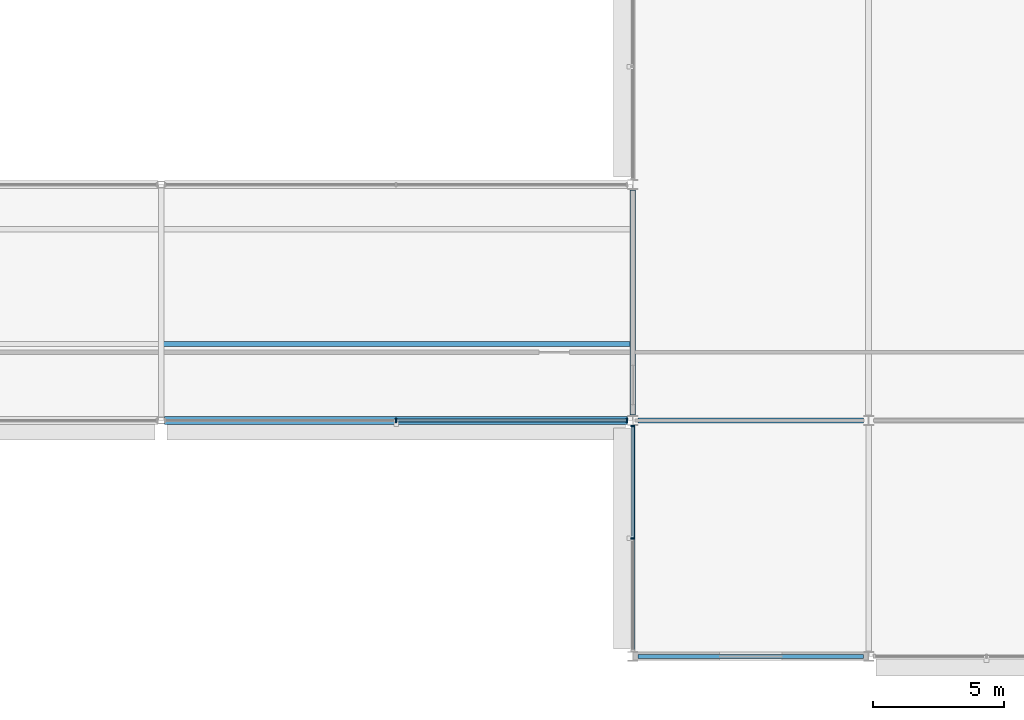
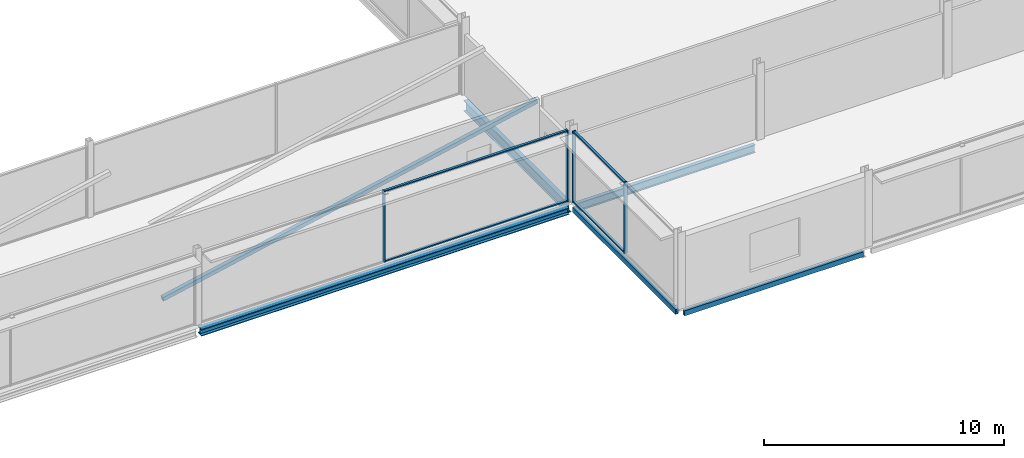
# One storey, part 40 of 98: 9 members, 5 beams, 2 elements without a shape of their own.
"""IFC4 building model written with IfcOpenShell, lengths in metres."""

import ifcopenshell
import ifcopenshell.guid

model = None  # the IFC model being written
_history = None  # IfcOwnerHistory: only IFC2X3 demands one
_inside = {}  # id of a spatial element -> (the spatial element, [elements in it])
_under = {}  # id of a project, library or spatial element -> (it, [spatial elements below it])
_declared = {}  # id of a project -> (the project, [libraries it declares])
_typed = {}  # id of a type object -> (the type object, [elements of that type])
_made_of = {}  # id of a material, layer set ... -> (it, [elements and type objects made of it])


def new_model(schema):
    """Start an empty IFC model of exactly this schema.

    Asked for "IFC4X3", IfcOpenShell would pick the latest addendum, in which some entities
    have other attributes; the version numbers below select the first issue.
    IFC2X3 requires an IfcOwnerHistory on every rooted entity: one is made here for all.
    """
    global model, _history
    if schema == "IFC4X3":
        model = ifcopenshell.file(schema_version=(4, 3, 0, 0))
    else:
        model = ifcopenshell.file(schema=schema)
    _inside.clear()
    _under.clear()
    _declared.clear()
    _typed.clear()
    _made_of.clear()
    _history = None
    if model.schema == "IFC2X3":
        org = make("IfcOrganization", Name="unknown")
        user = make(
            "IfcPersonAndOrganization",
            ThePerson=make("IfcPerson", FamilyName="unknown"),
            TheOrganization=org,
        )
        app = make(
            "IfcApplication",
            ApplicationDeveloper=org,
            Version="unknown",
            ApplicationFullName="unknown",
            ApplicationIdentifier="unknown",
        )
        _history = make(
            "IfcOwnerHistory",
            OwningUser=user,
            OwningApplication=app,
            ChangeAction="ADDED",
            CreationDate=0,
        )
    return model


def make(cls, **values):
    """One entity of the class cls with the attributes given. An attribute that is None is left unset."""
    return model.create_entity(
        cls, **{name: value for name, value in values.items() if value is not None}
    )


def rooted(cls, **values):
    """An entity with a GlobalId (a new one), such as an element, a storey or a relation."""
    return make(cls, GlobalId=ifcopenshell.guid.new(), OwnerHistory=_history, **values)


def si_unit(unit_type, name, prefix=None):
    """IfcSIUnit, for example si_unit("LENGTHUNIT", "METRE", prefix="MILLI")."""
    return make("IfcSIUnit", UnitType=unit_type, Prefix=prefix, Name=name)


def assignment(units):
    """IfcUnitAssignment: the units of a project."""
    return None if units is None else make("IfcUnitAssignment", Units=units)


def point(xyz):
    """IfcCartesianPoint."""
    return None if xyz is None else make("IfcCartesianPoint", Coordinates=xyz)


def direction(xyz):
    """IfcDirection."""
    return None if xyz is None else make("IfcDirection", DirectionRatios=xyz)


def frame(location, z_axis=None, x_axis=None):
    """IfcAxis2Placement3D, a coordinate frame: its origin and axes. An axis left out is left unset."""
    return make(
        "IfcAxis2Placement3D",
        Location=point(location),
        Axis=direction(z_axis),
        RefDirection=direction(x_axis),
    )


def frame_2d(location, x_axis=None):
    """IfcAxis2Placement2D, a coordinate frame in the plane: its origin and x axis."""
    return make(
        "IfcAxis2Placement2D", Location=point(location), RefDirection=direction(x_axis)
    )


def origin():
    """The frame at (0, 0, 0) with its axes left unset."""
    return frame((0.0, 0.0, 0.0))


def origin_2d():
    """The frame at (0, 0) in the plane with its x axis left unset."""
    return frame_2d((0.0, 0.0))


def place(relative_to, where):
    """IfcLocalPlacement: puts the frame where relative to a parent placement (None: the world)."""
    return make(
        "IfcLocalPlacement", PlacementRelTo=relative_to, RelativePlacement=where
    )


def context(
    kind, dimensions, precision=None, world=None, true_north=None, identifier=None
):
    """IfcGeometricRepresentationContext, for example the 3D "Model" context."""
    return make(
        "IfcGeometricRepresentationContext",
        ContextIdentifier=identifier,
        ContextType=kind,
        CoordinateSpaceDimension=dimensions,
        Precision=precision,
        WorldCoordinateSystem=world,
        TrueNorth=true_north,
    )


def subcontext(parent, identifier, kind, view, scale=None):
    """IfcGeometricRepresentationSubContext, for example "Body" below "Model"."""
    return make(
        "IfcGeometricRepresentationSubContext",
        ContextIdentifier=identifier,
        ContextType=kind,
        ParentContext=parent,
        TargetScale=scale,
        TargetView=view,
    )


def project(units=None, contexts=None):
    """IfcProject with its units and contexts."""
    return rooted(
        "IfcProject",
        Name="project",
        RepresentationContexts=contexts,
        UnitsInContext=assignment(units),
    )


def spatial(cls, under=None, at=None, **own):
    """A site, building, storey or space (cls), placed at a placement, below another one or the project."""
    s = rooted(cls, ObjectPlacement=at, **own)
    if under is not None:
        _under.setdefault(under.id(), (under, []))[1].append(s)
    return s


def profile(cls, at=None, kind="AREA", **sizes):
    """A parametric profile (cls). Its sizes go by their IFC names, for example OverallWidth=200.0."""
    return make(cls, ProfileType=kind, Position=at, **sizes)


def rectangle(**sizes):
    """IfcRectangleProfileDef."""
    return profile("IfcRectangleProfileDef", **sizes)


def hollow_rectangle(**sizes):
    """IfcRectangleHollowProfileDef."""
    return profile("IfcRectangleHollowProfileDef", **sizes)


def i_section(**sizes):
    """IfcIShapeProfileDef."""
    return profile("IfcIShapeProfileDef", **sizes)


def extrude(swept, where, along, depth):
    """IfcExtrudedAreaSolid: the profile swept, set in the frame where, extruded along a direction by depth."""
    return make(
        "IfcExtrudedAreaSolid",
        SweptArea=swept,
        Position=where,
        ExtrudedDirection=direction(along),
        Depth=depth,
    )


def shape(context_of_items, identifier, shape_type, items):
    """IfcShapeRepresentation: the items that make up one representation, for example the "Body"."""
    return make(
        "IfcShapeRepresentation",
        ContextOfItems=context_of_items,
        RepresentationIdentifier=identifier,
        RepresentationType=shape_type,
        Items=items,
    )


def material(Name=None, Category=None):
    """IfcMaterial."""
    return make("IfcMaterial", Name=Name, Category=Category)


def layer(
    of_material, thickness, ventilated=None, Name=None, Category=None, Priority=None
):
    """IfcMaterialLayer: one layer of a wall or slab, of a material (None: an air gap)."""
    return make(
        "IfcMaterialLayer",
        Material=of_material,
        LayerThickness=thickness,
        IsVentilated=ventilated,
        Name=Name,
        Category=Category,
        Priority=Priority,
    )


def layer_set(layers, Name=None):
    """IfcMaterialLayerSet."""
    return make("IfcMaterialLayerSet", MaterialLayers=layers, LayerSetName=Name)


def material_profile(
    of_material, cross_section, Name=None, Category=None, Priority=None
):
    """IfcMaterialProfile: a cross section and its material."""
    return make(
        "IfcMaterialProfile",
        Name=Name,
        Material=of_material,
        Profile=cross_section,
        Priority=Priority,
        Category=Category,
    )


def profile_set(profiles, Name=None, composite=None):
    """IfcMaterialProfileSet."""
    return make(
        "IfcMaterialProfileSet",
        Name=Name,
        MaterialProfiles=profiles,
        CompositeProfile=composite,
    )


def made_of(thing, what):
    """Note that an element or type object is made of a material, layer set ...; save() writes the relation."""
    if what is not None:
        _made_of.setdefault(what.id(), (what, []))[1].append(thing)
    return thing


def type_object(cls, material=None, **own):
    """A type object (cls), such as IfcWallType, which elements share."""
    return made_of(rooted(cls, **own), material)


def element(
    cls,
    number,
    at=None,
    inside=None,
    cuts=None,
    type_object=None,
    material=None,
    context=None,
    identifier="Body",
    shape_type=None,
    held_by="IfcProductDefinitionShape",
    body=None,
    shapes=None,
    **own,
):
    """One element of the class cls, such as IfcWall. Its Tag is "e" and its number.

    at: its placement. inside: the storey or other place that contains it. cuts: it is an
    opening in that element (IfcRelVoidsElement). A single representation is given by context,
    identifier, shape_type and body (its items); several are given by shapes. held_by: the class
    of the entity that holds the representations. save() writes the other relations.
    """
    e = rooted(cls, Tag="e%d" % number, ObjectPlacement=at, **own)
    if body is not None:
        shapes = [shape(context, identifier, shape_type, body)]
    if shapes is not None:
        e.Representation = make(held_by, Representations=shapes)
    if inside is not None:
        _inside.setdefault(inside.id(), (inside, []))[1].append(e)
    if cuts is not None:
        rooted(
            "IfcRelVoidsElement", RelatingBuildingElement=cuts, RelatedOpeningElement=e
        )
    if type_object is not None:
        _typed.setdefault(type_object.id(), (type_object, []))[1].append(e)
    return made_of(e, material)


def aggregate(whole, parts):
    """IfcRelAggregates: a whole, such as a stair, and the parts it consists of."""
    return rooted("IfcRelAggregates", RelatingObject=whole, RelatedObjects=parts)


def save(model, path):
    """Write the relations noted so far, then the file.

    IfcRelAggregates (storeys below a building ...), IfcRelContainedInSpatialStructure (elements
    in a storey), IfcRelDefinesByType, IfcRelAssociatesMaterial and IfcRelDeclares: one each for
    every whole, place, type object, material and project.
    """
    for whole, parts in _under.values():
        aggregate(whole, parts)
    for where, things in _inside.values():
        rooted(
            "IfcRelContainedInSpatialStructure",
            RelatedElements=things,
            RelatingStructure=where,
        )
    for kind, things in _typed.values():
        rooted("IfcRelDefinesByType", RelatedObjects=things, RelatingType=kind)
    for what, things in _made_of.values():
        rooted("IfcRelAssociatesMaterial", RelatedObjects=things, RelatingMaterial=what)
    for by, libraries in _declared.values():
        rooted("IfcRelDeclares", RelatingContext=by, RelatedDefinitions=libraries)
    model.write(path)


model = new_model("IFC4")

# Units and contexts
model_context = context("Model", 3, precision=1e-05, world=origin(), true_north=direction((0.0, 1.0)))
body_context = subcontext(model_context, "Body", "Model", "MODEL_VIEW")
ifc_project = project(units=[si_unit("LENGTHUNIT", "METRE"), si_unit("AREAUNIT", "SQUARE_METRE"), si_unit("VOLUMEUNIT", "CUBIC_METRE"), si_unit("PLANEANGLEUNIT", "RADIAN"), si_unit("MASSUNIT", "GRAM", prefix="KILO")], contexts=[model_context])

# Site, building, storey
site_placement = place(None, origin())
site = spatial("IfcSite", under=ifc_project, at=site_placement, CompositionType="ELEMENT")
building_placement = place(site_placement, origin())
building = spatial("IfcBuilding", under=site, at=building_placement, Name="Kisiwana Market Hall", CompositionType="ELEMENT")
storey_placement = place(building_placement, frame((0.0, 0.0, 29.39990234375)))
storey = spatial("IfcBuildingStorey", under=building, at=storey_placement, Name="L06", CompositionType="ELEMENT", Elevation=29.39990234375)

# Beams
ifc_material_1 = material(Name="Steel S355", Category="steel")
ifc_material_profile_1 = material_profile(ifc_material_1, i_section(OverallWidth=0.209228515625, OverallDepth=0.533203125, WebThickness=0.010009765625, FlangeThickness=0.015625, at=origin_2d()), Name="UB 533x210x92")
ifc_profile_set_1 = profile_set([ifc_material_profile_1], Name="Steel S355")
beam_type_1 = type_object("IfcBeamType", Name="BM-GIRD-UB533", PredefinedType="BEAM", material=ifc_profile_set_1)
beam_1_placement = place(storey_placement, frame((153.0, 18.19921875, -0.531494140625), z_axis=(0.0, 1.0, 0.0), x_axis=(-1.0, 0.0, 0.0)))
element("IfcBeam", 1, at=beam_1_placement, inside=storey, type_object=beam_type_1, Name="Primary girder B-1729", PredefinedType="BEAM", context=body_context, shape_type="SweptSolid", body=[
    extrude(i_section(OverallWidth=0.209228515625, OverallDepth=0.533203125, WebThickness=0.010009765625, FlangeThickness=0.015625, at=origin_2d()), origin(), (0.0, 0.0, 1.0), 8.6015625),
])
ifc_material_2 = material(Name="Steel S355", Category="steel")
ifc_material_profile_2 = material_profile(ifc_material_2, i_section(OverallWidth=0.1787109375, OverallDepth=0.409423828125, WebThickness=0.0087890625, FlangeThickness=0.014404296875, at=origin_2d()), Name="UB 406x178x67")
ifc_profile_set_2 = profile_set([ifc_material_profile_2], Name="Steel S355")
beam_type_2 = type_object("IfcBeamType", Name="BM-JOIST-UB406H", PredefinedType="JOIST", material=ifc_profile_set_2)
beam_2_placement = place(storey_placement, frame((153.19921875, 18.0, -0.44970703125), z_axis=(1.0, 0.0, 0.0), x_axis=(0.0, 1.0, 0.0)))
element("IfcBeam", 2, at=beam_2_placement, inside=storey, type_object=beam_type_2, Name="Floor beam B-1793", PredefinedType="JOIST", context=body_context, shape_type="SweptSolid", body=[
    extrude(i_section(OverallWidth=0.1787109375, OverallDepth=0.409423828125, WebThickness=0.0087890625, FlangeThickness=0.014404296875, at=origin_2d()), origin(), (0.0, 0.0, 1.0), 8.6015625),
])
ifc_material_3 = material(Name="Steel S355", Category="steel")
ifc_material_profile_3 = material_profile(ifc_material_3, i_section(OverallWidth=0.314453125, OverallDepth=0.33984375, WebThickness=0.01904296875, FlangeThickness=0.031494140625, at=origin_2d()), Name="UC 305x305x198")
ifc_profile_set_3 = profile_set([ifc_material_profile_3], Name="Steel S355")
beam_type_3 = type_object("IfcBeamType", Name="BM-SKYBR-CHORD", PredefinedType="BEAM", material=ifc_profile_set_3)
beam_3_placement = place(storey_placement, frame((135.12109375, 18.0, -0.434814453125), z_axis=(1.0, 0.0, 0.0), x_axis=(0.0, 1.0, 0.0)))
element("IfcBeam", 3, at=beam_3_placement, inside=storey, type_object=beam_type_3, Name="Floor beam B-1792", PredefinedType="BEAM", context=body_context, shape_type="SweptSolid", body=[
    extrude(i_section(OverallWidth=0.314453125, OverallDepth=0.33984375, WebThickness=0.01904296875, FlangeThickness=0.031494140625, at=origin_2d()), origin(), (0.0, 0.0, 1.0), 17.6796875),
])
ifc_material_4 = material(Name="Steel S355", Category="steel")
ifc_material_profile_4 = material_profile(ifc_material_4, hollow_rectangle(XDim=0.14990234375, YDim=0.25, WallThickness=0.010009765625, at=origin_2d()), Name="RHS 250x150x10.0")
ifc_profile_set_4 = profile_set([ifc_material_profile_4], Name="Steel S355")
beam_type_4 = type_object("IfcBeamType", Name="BM-SPAN-RHS250", PredefinedType="SPANDREL", material=ifc_profile_set_4)
for number, where, z_axis, x_axis, name in (
    (4, (153.19921875, 9.0, -0.369873046875), (1.0, 0.0, 0.0), (0.0, 1.0, 0.0), "Floor beam B-1779"),
    (5, (153.0, 9.19921875, -0.369873046875), (0.0, 1.0, 0.0), (-1.0, 0.0, 0.0), "Floor beam B-1863"),
):
    element("IfcBeam", number, at=place(storey_placement, frame(where, z_axis=z_axis, x_axis=x_axis)), inside=storey, type_object=beam_type_4, Name=name, PredefinedType="SPANDREL", context=body_context, shape_type="SweptSolid", body=[
        extrude(hollow_rectangle(XDim=0.14990234375, YDim=0.25, WallThickness=0.010009765625, at=origin_2d()), origin(), (0.0, 0.0, 1.0), 8.6015625),
    ])

# Curtain wall, members
ifc_material_5 = material(Name="Double-glazed solar-control low-E IGU", Category="glass")
ifc_layer = layer(ifc_material_5, 0.159912109375)
ifc_layer_set = layer_set([ifc_layer], Name="CW-ZNA-EW-8200")
curtain_wall_type = type_object("IfcCurtainWallType", Name="CW-ZNA-EW-8200", PredefinedType="USERDEFINED", material=ifc_layer_set)
curtain_wall_1_placement = place(storey_placement, origin())
curtain_wall_1 = element("IfcCurtainWall", 6, at=curtain_wall_1_placement, inside=storey, type_object=curtain_wall_type, Name="Unitised curtain wall CW-177 (L06)", ObjectType="UNITISED CURTAIN WALL", PredefinedType="USERDEFINED")
ifc_material_6 = material(Name="Aluminium alloy 6063-T6", Category="aluminium")
ifc_material_profile_5 = material_profile(ifc_material_6, rectangle(XDim=0.06005859375, YDim=0.159912109375, at=origin_2d()), Name="ALU MULLION 60x160")
ifc_profile_set_5 = profile_set([ifc_material_profile_5], Name="Aluminium alloy 6063-T6")
member_type_1 = type_object("IfcMemberType", Name="CW-MULL-60x160", PredefinedType="MULLION", material=ifc_profile_set_5)
member_1_placement = place(storey_placement, frame((143.969970703125, 18.0, 0.0), z_axis=(0.0, 0.0, 1.0), x_axis=(1.0, 0.0, 0.0)))
member_1 = element("IfcMember", 7, at=member_1_placement, type_object=member_type_1, Name="CW-177 mullion 2", PredefinedType="MULLION", context=body_context, shape_type="SweptSolid", body=[
    extrude(rectangle(XDim=0.06005859375, YDim=0.159912109375, at=origin_2d()), origin(), (0.0, 0.0, 1.0), 3.6201171875),
])
member_2_placement = place(storey_placement, frame((152.784912109375, 18.0, 0.0), z_axis=(0.0, 0.0, 1.0), x_axis=(1.0, 0.0, 0.0)))
member_2 = element("IfcMember", 8, at=member_2_placement, type_object=member_type_1, Name="CW-177 mullion 3", PredefinedType="MULLION", context=body_context, shape_type="SweptSolid", body=[
    extrude(rectangle(XDim=0.06005859375, YDim=0.159912109375, at=origin_2d()), origin(), (0.0, 0.0, 1.0), 3.6201171875),
])

curtain_wall_2_placement = place(storey_placement, origin())
curtain_wall_2 = element("IfcCurtainWall", 9, at=curtain_wall_2_placement, inside=storey, type_object=curtain_wall_type, Name="Unitised curtain wall CW-204 (L06)", ObjectType="UNITISED CURTAIN WALL", PredefinedType="USERDEFINED")
member_3_placement = place(storey_placement, frame((153.0, 13.5, 0.0), z_axis=(0.0, 0.0, 1.0), x_axis=(0.0, 1.0, 0.0)))
member_3 = element("IfcMember", 10, at=member_3_placement, type_object=member_type_1, Name="CW-204 mullion 2", PredefinedType="MULLION", context=body_context, shape_type="SweptSolid", body=[
    extrude(rectangle(XDim=0.06005859375, YDim=0.159912109375, at=origin_2d()), origin(), (0.0, 0.0, 1.0), 3.6201171875),
])
member_4_placement = place(storey_placement, frame((153.0, 17.7890625, 0.0), z_axis=(0.0, 0.0, 1.0), x_axis=(0.0, 1.0, 0.0)))
member_4 = element("IfcMember", 11, at=member_4_placement, type_object=member_type_1, Name="CW-204 mullion 3", PredefinedType="MULLION", context=body_context, shape_type="SweptSolid", body=[
    extrude(rectangle(XDim=0.06005859375, YDim=0.159912109375, at=origin_2d()), origin(), (0.0, 0.0, 1.0), 3.6201171875),
])

# Member
ifc_material_7 = material(Name="Aluminium alloy 6063-T6", Category="aluminium")
ifc_material_profile_6 = material_profile(ifc_material_7, rectangle(XDim=0.1201171875, YDim=0.06005859375, at=origin_2d()), Name="ALU TRANSOM 60x120")
ifc_profile_set_6 = profile_set([ifc_material_profile_6], Name="Aluminium alloy 6063-T6")
member_type_2 = type_object("IfcMemberType", Name="CW-TRAN-60x120", PredefinedType="USERDEFINED", material=ifc_profile_set_6)
member_5_placement = place(storey_placement, frame((144.0, 18.0, 0.030029296875), z_axis=(1.0, 0.0, 0.0), x_axis=(0.0, 1.0, 0.0)))
member_5 = element("IfcMember", 12, at=member_5_placement, type_object=member_type_2, Name="CW-177 transom 2.1", ObjectType="TRANSOM", PredefinedType="USERDEFINED", context=body_context, shape_type="SweptSolid", body=[
    extrude(rectangle(XDim=0.1201171875, YDim=0.06005859375, at=origin_2d()), origin(), (0.0, 0.0, 1.0), 8.7548828125),
])

member_6_placement = place(storey_placement, frame((144.0, 18.0, 3.590087890625), z_axis=(1.0, 0.0, 0.0), x_axis=(0.0, 1.0, 0.0)))
member_6 = element("IfcMember", 13, at=member_6_placement, type_object=member_type_2, Name="CW-177 transom 2.2", ObjectType="TRANSOM", PredefinedType="USERDEFINED", context=body_context, shape_type="SweptSolid", body=[
    extrude(rectangle(XDim=0.1201171875, YDim=0.06005859375, at=origin_2d()), origin(), (0.0, 0.0, 1.0), 8.7548828125),
])

aggregate(curtain_wall_1, [member_1, member_2, member_5, member_6])

member_7_placement = place(storey_placement, frame((153.0, 13.530029296875, 0.030029296875), z_axis=(0.0, 1.0, 0.0), x_axis=(-1.0, 0.0, 0.0)))
member_7 = element("IfcMember", 14, at=member_7_placement, type_object=member_type_2, Name="CW-204 transom 2.1", ObjectType="TRANSOM", PredefinedType="USERDEFINED", context=body_context, shape_type="SweptSolid", body=[
    extrude(rectangle(XDim=0.1201171875, YDim=0.06005859375, at=origin_2d()), origin(), (0.0, 0.0, 1.0), 4.22900390625),
])

member_8_placement = place(storey_placement, frame((153.0, 13.530029296875, 3.590087890625), z_axis=(0.0, 1.0, 0.0), x_axis=(-1.0, 0.0, 0.0)))
member_8 = element("IfcMember", 15, at=member_8_placement, type_object=member_type_2, Name="CW-204 transom 2.2", ObjectType="TRANSOM", PredefinedType="USERDEFINED", context=body_context, shape_type="SweptSolid", body=[
    extrude(rectangle(XDim=0.1201171875, YDim=0.06005859375, at=origin_2d()), origin(), (0.0, 0.0, 1.0), 4.22900390625),
])

aggregate(curtain_wall_2, [member_3, member_4, member_7, member_8])

ifc_material_8 = material(Name="Steel S355", Category="steel")
ifc_material_profile_7 = material_profile(ifc_material_8, hollow_rectangle(XDim=0.199951171875, YDim=0.199951171875, WallThickness=0.010009765625, at=origin_2d()), Name="SHS 200x200x10.0")
ifc_profile_set_7 = profile_set([ifc_material_profile_7], Name="Steel S355")
member_type_3 = type_object("IfcMemberType", Name="MB-SKY-DIAG200", PredefinedType="BRACE", material=ifc_profile_set_7)
member_9_placement = place(storey_placement, frame((135.0, 20.919921875, -0.5), z_axis=(0.978762510891, 0.0, 0.204997432362), x_axis=(0.0, 1.0, 0.0)))
element("IfcMember", 16, at=member_9_placement, inside=storey, type_object=member_type_3, Name="Skybridge truss diagonal L06 grids 16 to 18 M-0500", PredefinedType="BRACE", context=body_context, shape_type="SweptSolid", body=[
    extrude(hollow_rectangle(XDim=0.199951171875, YDim=0.199951171875, WallThickness=0.010009765625, at=origin_2d()), origin(), (0.0, 0.0, 1.0), 18.390625),
])

save(model, "model.ifc")
